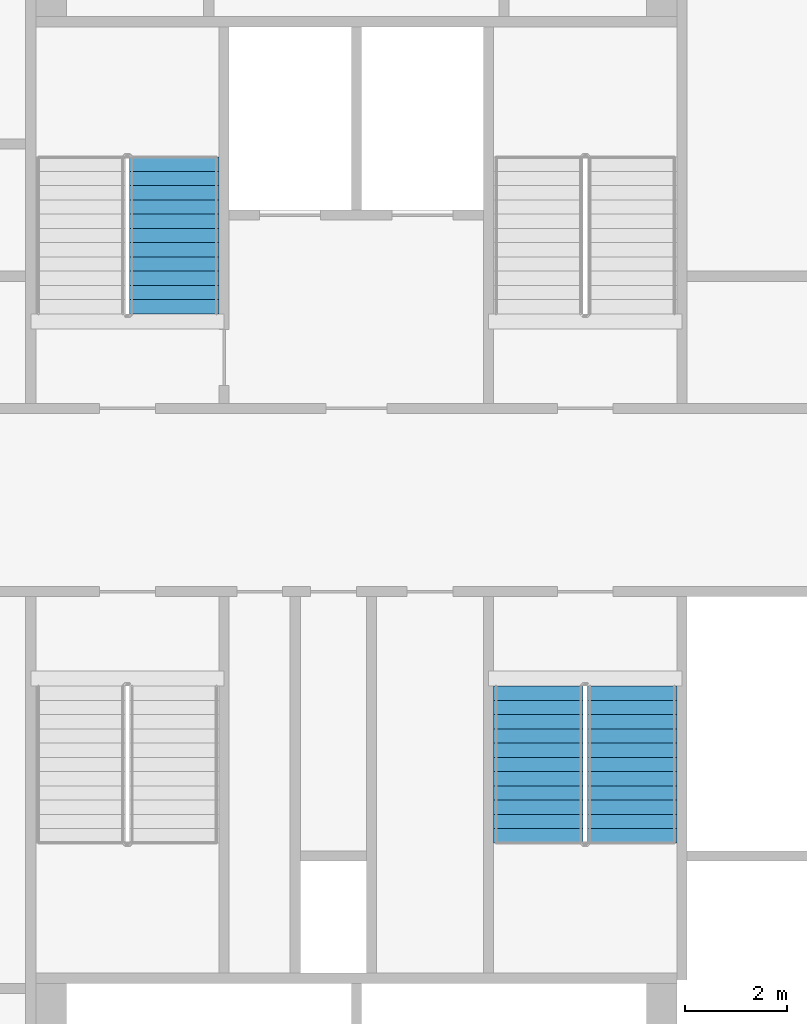
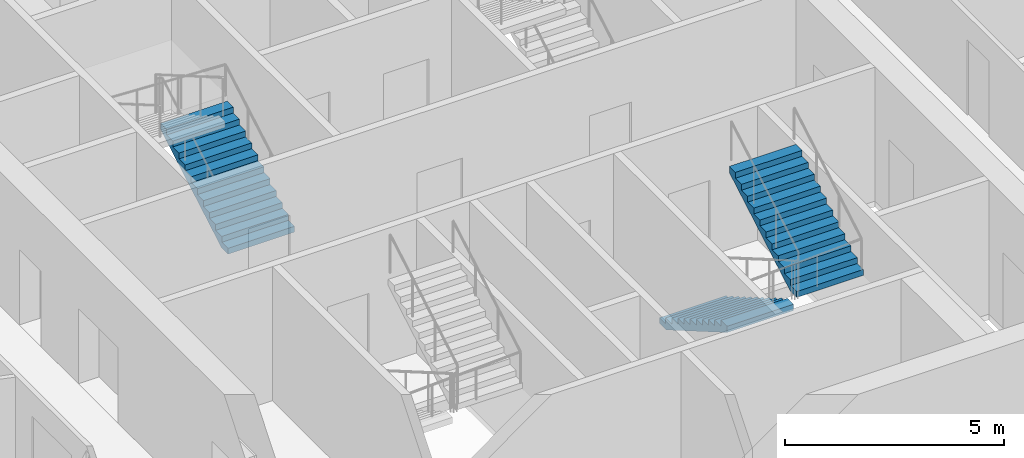
# One storey, part 18 of 24: 3 stair flights, 2 elements without a shape of their own.
"""IFC4 building model written with IfcOpenShell, lengths in metres."""

from ifc_helpers import new_model, si_unit, direction, frame, origin, place, context, subcontext, project, spatial, faceted_brep, material, type_object, element, aggregate, save


model = new_model("IFC4")

# Units and contexts
model_context = context("Model", 3, precision=1e-05, world=origin(), true_north=direction((0.0, 1.0)))
body_context = subcontext(model_context, "Body", "Model", "MODEL_VIEW")
ifc_project = project(units=[si_unit("LENGTHUNIT", "METRE"), si_unit("AREAUNIT", "SQUARE_METRE"), si_unit("VOLUMEUNIT", "CUBIC_METRE"), si_unit("PLANEANGLEUNIT", "RADIAN"), si_unit("MASSUNIT", "GRAM", prefix="KILO")], contexts=[model_context])

# Site, building, storey
site_placement = place(None, origin())
site = spatial("IfcSite", under=ifc_project, at=site_placement, CompositionType="ELEMENT")
building_placement = place(site_placement, origin())
building = spatial("IfcBuilding", under=site, at=building_placement, Name="Tarsis Ring Headquarters", CompositionType="ELEMENT")
storey_placement = place(building_placement, frame((0.0, 0.0, 216.0)))
storey = spatial("IfcBuildingStorey", under=building, at=storey_placement, Name="L50", CompositionType="ELEMENT", Elevation=216.0)

# Stair, stair flight
ifc_material_1 = material(Name="Core stair 1760")
stair_type = type_object("IfcStairType", Name="Core stair 1760", PredefinedType="HALF_TURN_STAIR", material=ifc_material_1)
stair_1_placement = place(storey_placement, origin())
stair_1 = element("IfcStair", 1, at=stair_1_placement, inside=storey, type_object=stair_type, Name="L50 Firefighting stair", PredefinedType="HALF_TURN_STAIR")
ifc_material_2 = material(Name="Concrete C40/50", Category="concrete")
stair_flight_type = type_object("IfcStairFlightType", Name="Core stair flight 1760", PredefinedType="STRAIGHT", material=ifc_material_2)
stair_flight_1_placement = place(storey_placement, frame((-3.580078125, 3.659912109375, 0.0), z_axis=(0.0, 0.0, 1.0), x_axis=(0.0, 1.0, 0.0)))
stair_flight_1 = element("IfcStairFlight", 2, at=stair_flight_1_placement, type_object=stair_flight_type, Name="Stair ST1 flight 1", NumberOfRisers=12, NumberOfTreads=11, PredefinedType="STRAIGHT", RiserHeight=0.1625, TreadLength=0.28, context=body_context, shape_type="Brep", body=[
    faceted_brep([(0.0, 0.8798828125, 0.0), (0.0, 0.8798828125, 0.16259765625), (0.280029296875, 0.8798828125, 0.16259765625), (0.280029296875, 0.8798828125, 0.324951171875), (0.56005859375, 0.8798828125, 0.324951171875), (0.56005859375, 0.8798828125, 0.487548828125), (0.840087890625, 0.8798828125, 0.487548828125), (0.840087890625, 0.8798828125, 0.64990234375), (1.1201171875, 0.8798828125, 0.64990234375), (1.1201171875, 0.8798828125, 0.8125), (1.39990234375, 0.8798828125, 0.8125), (1.39990234375, 0.8798828125, 0.97509765625), (1.679931640625, 0.8798828125, 0.97509765625), (1.679931640625, 0.8798828125, 1.137451171875), (1.9599609375, 0.8798828125, 1.137451171875), (1.9599609375, 0.8798828125, 1.300048828125), (2.239990234375, 0.8798828125, 1.300048828125), (2.239990234375, 0.8798828125, 1.46240234375), (2.52001953125, 0.8798828125, 1.46240234375), (2.52001953125, 0.8798828125, 1.625), (2.800048828125, 0.8798828125, 1.625), (2.800048828125, 0.8798828125, 1.78759765625), (3.080078125, 0.8798828125, 1.78759765625), (3.080078125, 0.8798828125, 1.6142578125), (0.298583984375, 0.8798828125, 0.0), (0.298583984375, -0.8798828125, 0.0), (3.080078125, -0.8798828125, 1.6142578125), (3.080078125, -0.8798828125, 1.78759765625), (2.800048828125, -0.8798828125, 1.78759765625), (2.800048828125, -0.8798828125, 1.625), (2.52001953125, -0.8798828125, 1.625), (2.52001953125, -0.8798828125, 1.46240234375), (2.239990234375, -0.8798828125, 1.46240234375), (2.239990234375, -0.8798828125, 1.300048828125), (1.9599609375, -0.8798828125, 1.300048828125), (1.9599609375, -0.8798828125, 1.137451171875), (1.679931640625, -0.8798828125, 1.137451171875), (1.679931640625, -0.8798828125, 0.97509765625), (1.39990234375, -0.8798828125, 0.97509765625), (1.39990234375, -0.8798828125, 0.8125), (1.1201171875, -0.8798828125, 0.8125), (1.1201171875, -0.8798828125, 0.64990234375), (0.840087890625, -0.8798828125, 0.64990234375), (0.840087890625, -0.8798828125, 0.487548828125), (0.56005859375, -0.8798828125, 0.487548828125), (0.56005859375, -0.8798828125, 0.324951171875), (0.280029296875, -0.8798828125, 0.324951171875), (0.280029296875, -0.8798828125, 0.16259765625), (0.0, -0.8798828125, 0.16259765625), (0.0, -0.8798828125, 0.0), (0.0, -0.43994140625, 0.16259765625), (0.0, -0.43994140625, 0.0), (0.0, 0.0, 0.16259765625), (0.0, 0.0, 0.0), (0.0, 0.43994140625, 0.16259765625), (0.0, 0.43994140625, 0.0), (0.280029296875, -0.43994140625, 0.16259765625), (0.280029296875, 0.0, 0.16259765625), (0.280029296875, 0.43994140625, 0.16259765625), (0.280029296875, -0.43994140625, 0.324951171875), (0.280029296875, 0.0, 0.324951171875), (0.280029296875, 0.43994140625, 0.324951171875), (0.56005859375, -0.43994140625, 0.324951171875), (0.56005859375, 0.0, 0.324951171875), (0.56005859375, 0.43994140625, 0.324951171875), (0.56005859375, -0.43994140625, 0.487548828125), (0.56005859375, 0.0, 0.487548828125), (0.56005859375, 0.43994140625, 0.487548828125), (0.840087890625, -0.43994140625, 0.487548828125), (0.840087890625, 0.0, 0.487548828125), (0.840087890625, 0.43994140625, 0.487548828125), (0.840087890625, -0.43994140625, 0.64990234375), (0.840087890625, 0.0, 0.64990234375), (0.840087890625, 0.43994140625, 0.64990234375), (1.1201171875, -0.43994140625, 0.64990234375), (1.1201171875, 0.0, 0.64990234375), (1.1201171875, 0.43994140625, 0.64990234375), (1.1201171875, -0.43994140625, 0.8125), (1.1201171875, 0.0, 0.8125), (1.1201171875, 0.43994140625, 0.8125), (1.39990234375, -0.43994140625, 0.8125), (1.39990234375, 0.0, 0.8125), (1.39990234375, 0.43994140625, 0.8125), (1.39990234375, -0.43994140625, 0.97509765625), (1.39990234375, 0.0, 0.97509765625), (1.39990234375, 0.43994140625, 0.97509765625), (1.679931640625, -0.43994140625, 0.97509765625), (1.679931640625, 0.0, 0.97509765625), (1.679931640625, 0.43994140625, 0.97509765625), (1.679931640625, -0.43994140625, 1.137451171875), (1.679931640625, 0.0, 1.137451171875), (1.679931640625, 0.43994140625, 1.137451171875), (1.9599609375, -0.43994140625, 1.137451171875), (1.9599609375, 0.0, 1.137451171875), (1.9599609375, 0.43994140625, 1.137451171875), (1.9599609375, -0.43994140625, 1.300048828125), (1.9599609375, 0.0, 1.300048828125), (1.9599609375, 0.43994140625, 1.300048828125), (2.239990234375, -0.43994140625, 1.300048828125), (2.239990234375, 0.0, 1.300048828125), (2.239990234375, 0.43994140625, 1.300048828125), (2.239990234375, -0.43994140625, 1.46240234375), (2.239990234375, 0.0, 1.46240234375), (2.239990234375, 0.43994140625, 1.46240234375), (2.52001953125, -0.43994140625, 1.46240234375), (2.52001953125, 0.0, 1.46240234375), (2.52001953125, 0.43994140625, 1.46240234375), (2.52001953125, -0.43994140625, 1.625), (2.52001953125, 0.0, 1.625), (2.52001953125, 0.43994140625, 1.625), (2.800048828125, -0.43994140625, 1.625), (2.800048828125, 0.0, 1.625), (2.800048828125, 0.43994140625, 1.625), (2.800048828125, -0.43994140625, 1.78759765625), (2.800048828125, 0.0, 1.78759765625), (2.800048828125, 0.43994140625, 1.78759765625), (3.080078125, -0.43994140625, 1.78759765625), (3.080078125, 0.0, 1.78759765625), (3.080078125, 0.43994140625, 1.78759765625), (3.080078125, -0.43994140625, 1.6142578125), (3.080078125, 0.0, 1.6142578125), (3.080078125, 0.43994140625, 1.6142578125), (0.298583984375, -0.43994140625, 0.0), (0.298583984375, 0.0, 0.0), (0.298583984375, 0.43994140625, 0.0)], [[[0, 1, 2, 3, 4, 5, 6, 7, 8, 9, 10, 11, 12, 13, 14, 15, 16, 17, 18, 19, 20, 21, 22, 23, 24]], [[25, 26, 27, 28, 29, 30, 31, 32, 33, 34, 35, 36, 37, 38, 39, 40, 41, 42, 43, 44, 45, 46, 47, 48, 49]], [[49, 48, 50, 51]], [[51, 50, 52, 53]], [[53, 52, 54, 55]], [[55, 54, 1, 0]], [[48, 47, 56, 50]], [[50, 56, 57, 52]], [[52, 57, 58, 54]], [[54, 58, 2, 1]], [[47, 46, 59, 56]], [[56, 59, 60, 57]], [[57, 60, 61, 58]], [[58, 61, 3, 2]], [[46, 45, 62, 59]], [[59, 62, 63, 60]], [[60, 63, 64, 61]], [[61, 64, 4, 3]], [[45, 44, 65, 62]], [[62, 65, 66, 63]], [[63, 66, 67, 64]], [[64, 67, 5, 4]], [[44, 43, 68, 65]], [[65, 68, 69, 66]], [[66, 69, 70, 67]], [[67, 70, 6, 5]], [[43, 42, 71, 68]], [[68, 71, 72, 69]], [[69, 72, 73, 70]], [[70, 73, 7, 6]], [[42, 41, 74, 71]], [[71, 74, 75, 72]], [[72, 75, 76, 73]], [[73, 76, 8, 7]], [[41, 40, 77, 74]], [[74, 77, 78, 75]], [[75, 78, 79, 76]], [[76, 79, 9, 8]], [[40, 39, 80, 77]], [[77, 80, 81, 78]], [[78, 81, 82, 79]], [[79, 82, 10, 9]], [[39, 38, 83, 80]], [[80, 83, 84, 81]], [[81, 84, 85, 82]], [[82, 85, 11, 10]], [[38, 37, 86, 83]], [[83, 86, 87, 84]], [[84, 87, 88, 85]], [[85, 88, 12, 11]], [[37, 36, 89, 86]], [[86, 89, 90, 87]], [[87, 90, 91, 88]], [[88, 91, 13, 12]], [[36, 35, 92, 89]], [[89, 92, 93, 90]], [[90, 93, 94, 91]], [[91, 94, 14, 13]], [[35, 34, 95, 92]], [[92, 95, 96, 93]], [[93, 96, 97, 94]], [[94, 97, 15, 14]], [[34, 33, 98, 95]], [[95, 98, 99, 96]], [[96, 99, 100, 97]], [[97, 100, 16, 15]], [[33, 32, 101, 98]], [[98, 101, 102, 99]], [[99, 102, 103, 100]], [[100, 103, 17, 16]], [[32, 31, 104, 101]], [[101, 104, 105, 102]], [[102, 105, 106, 103]], [[103, 106, 18, 17]], [[31, 30, 107, 104]], [[104, 107, 108, 105]], [[105, 108, 109, 106]], [[106, 109, 19, 18]], [[30, 29, 110, 107]], [[107, 110, 111, 108]], [[108, 111, 112, 109]], [[109, 112, 20, 19]], [[29, 28, 113, 110]], [[110, 113, 114, 111]], [[111, 114, 115, 112]], [[112, 115, 21, 20]], [[28, 27, 116, 113]], [[113, 116, 117, 114]], [[114, 117, 118, 115]], [[115, 118, 22, 21]], [[27, 26, 119, 116]], [[116, 119, 120, 117]], [[117, 120, 121, 118]], [[118, 121, 23, 22]], [[26, 25, 122, 119]], [[119, 122, 123, 120]], [[120, 123, 124, 121]], [[121, 124, 24, 23]], [[25, 49, 51, 122]], [[122, 51, 53, 123]], [[123, 53, 55, 124]], [[124, 55, 0, 24]]]),
])
aggregate(stair_1, [stair_flight_1])

# Stair, stair flights
stair_2_placement = place(storey_placement, origin())
stair_2 = element("IfcStair", 3, at=stair_2_placement, inside=storey, type_object=stair_type, Name="L50 Exit stair D", PredefinedType="HALF_TURN_STAIR")
stair_flight_2_placement = place(storey_placement, frame((3.580078125, -3.659912109375, 0.0), z_axis=(0.0, 0.0, 1.0), x_axis=(0.0, -1.0, 0.0)))
stair_flight_2 = element("IfcStairFlight", 4, at=stair_flight_2_placement, type_object=stair_flight_type, Name="Stair ST4 flight 1", NumberOfRisers=12, NumberOfTreads=11, PredefinedType="STRAIGHT", RiserHeight=0.1625, TreadLength=0.28, context=body_context, shape_type="Brep", body=[
    faceted_brep([(0.0, 0.8798828125, 0.0), (0.0, 0.8798828125, 0.16259765625), (0.280029296875, 0.8798828125, 0.16259765625), (0.280029296875, 0.8798828125, 0.324951171875), (0.56005859375, 0.8798828125, 0.324951171875), (0.56005859375, 0.8798828125, 0.487548828125), (0.840087890625, 0.8798828125, 0.487548828125), (0.840087890625, 0.8798828125, 0.64990234375), (1.1201171875, 0.8798828125, 0.64990234375), (1.1201171875, 0.8798828125, 0.8125), (1.39990234375, 0.8798828125, 0.8125), (1.39990234375, 0.8798828125, 0.97509765625), (1.679931640625, 0.8798828125, 0.97509765625), (1.679931640625, 0.8798828125, 1.137451171875), (1.9599609375, 0.8798828125, 1.137451171875), (1.9599609375, 0.8798828125, 1.300048828125), (2.239990234375, 0.8798828125, 1.300048828125), (2.239990234375, 0.8798828125, 1.46240234375), (2.52001953125, 0.8798828125, 1.46240234375), (2.52001953125, 0.8798828125, 1.625), (2.800048828125, 0.8798828125, 1.625), (2.800048828125, 0.8798828125, 1.78759765625), (3.080078125, 0.8798828125, 1.78759765625), (3.080078125, 0.8798828125, 1.6142578125), (0.298583984375, 0.8798828125, 0.0), (0.298583984375, -0.8798828125, 0.0), (3.080078125, -0.8798828125, 1.6142578125), (3.080078125, -0.8798828125, 1.78759765625), (2.800048828125, -0.8798828125, 1.78759765625), (2.800048828125, -0.8798828125, 1.625), (2.52001953125, -0.8798828125, 1.625), (2.52001953125, -0.8798828125, 1.46240234375), (2.239990234375, -0.8798828125, 1.46240234375), (2.239990234375, -0.8798828125, 1.300048828125), (1.9599609375, -0.8798828125, 1.300048828125), (1.9599609375, -0.8798828125, 1.137451171875), (1.679931640625, -0.8798828125, 1.137451171875), (1.679931640625, -0.8798828125, 0.97509765625), (1.39990234375, -0.8798828125, 0.97509765625), (1.39990234375, -0.8798828125, 0.8125), (1.1201171875, -0.8798828125, 0.8125), (1.1201171875, -0.8798828125, 0.64990234375), (0.840087890625, -0.8798828125, 0.64990234375), (0.840087890625, -0.8798828125, 0.487548828125), (0.56005859375, -0.8798828125, 0.487548828125), (0.56005859375, -0.8798828125, 0.324951171875), (0.280029296875, -0.8798828125, 0.324951171875), (0.280029296875, -0.8798828125, 0.16259765625), (0.0, -0.8798828125, 0.16259765625), (0.0, -0.8798828125, 0.0), (0.0, -0.43994140625, 0.16259765625), (0.0, -0.43994140625, 0.0), (0.0, 0.0, 0.16259765625), (0.0, 0.0, 0.0), (0.0, 0.43994140625, 0.16259765625), (0.0, 0.43994140625, 0.0), (0.280029296875, -0.43994140625, 0.16259765625), (0.280029296875, 0.0, 0.16259765625), (0.280029296875, 0.43994140625, 0.16259765625), (0.280029296875, -0.43994140625, 0.324951171875), (0.280029296875, 0.0, 0.324951171875), (0.280029296875, 0.43994140625, 0.324951171875), (0.56005859375, -0.43994140625, 0.324951171875), (0.56005859375, 0.0, 0.324951171875), (0.56005859375, 0.43994140625, 0.324951171875), (0.56005859375, -0.43994140625, 0.487548828125), (0.56005859375, 0.0, 0.487548828125), (0.56005859375, 0.43994140625, 0.487548828125), (0.840087890625, -0.43994140625, 0.487548828125), (0.840087890625, 0.0, 0.487548828125), (0.840087890625, 0.43994140625, 0.487548828125), (0.840087890625, -0.43994140625, 0.64990234375), (0.840087890625, 0.0, 0.64990234375), (0.840087890625, 0.43994140625, 0.64990234375), (1.1201171875, -0.43994140625, 0.64990234375), (1.1201171875, 0.0, 0.64990234375), (1.1201171875, 0.43994140625, 0.64990234375), (1.1201171875, -0.43994140625, 0.8125), (1.1201171875, 0.0, 0.8125), (1.1201171875, 0.43994140625, 0.8125), (1.39990234375, -0.43994140625, 0.8125), (1.39990234375, 0.0, 0.8125), (1.39990234375, 0.43994140625, 0.8125), (1.39990234375, -0.43994140625, 0.97509765625), (1.39990234375, 0.0, 0.97509765625), (1.39990234375, 0.43994140625, 0.97509765625), (1.679931640625, -0.43994140625, 0.97509765625), (1.679931640625, 0.0, 0.97509765625), (1.679931640625, 0.43994140625, 0.97509765625), (1.679931640625, -0.43994140625, 1.137451171875), (1.679931640625, 0.0, 1.137451171875), (1.679931640625, 0.43994140625, 1.137451171875), (1.9599609375, -0.43994140625, 1.137451171875), (1.9599609375, 0.0, 1.137451171875), (1.9599609375, 0.43994140625, 1.137451171875), (1.9599609375, -0.43994140625, 1.300048828125), (1.9599609375, 0.0, 1.300048828125), (1.9599609375, 0.43994140625, 1.300048828125), (2.239990234375, -0.43994140625, 1.300048828125), (2.239990234375, 0.0, 1.300048828125), (2.239990234375, 0.43994140625, 1.300048828125), (2.239990234375, -0.43994140625, 1.46240234375), (2.239990234375, 0.0, 1.46240234375), (2.239990234375, 0.43994140625, 1.46240234375), (2.52001953125, -0.43994140625, 1.46240234375), (2.52001953125, 0.0, 1.46240234375), (2.52001953125, 0.43994140625, 1.46240234375), (2.52001953125, -0.43994140625, 1.625), (2.52001953125, 0.0, 1.625), (2.52001953125, 0.43994140625, 1.625), (2.800048828125, -0.43994140625, 1.625), (2.800048828125, 0.0, 1.625), (2.800048828125, 0.43994140625, 1.625), (2.800048828125, -0.43994140625, 1.78759765625), (2.800048828125, 0.0, 1.78759765625), (2.800048828125, 0.43994140625, 1.78759765625), (3.080078125, -0.43994140625, 1.78759765625), (3.080078125, 0.0, 1.78759765625), (3.080078125, 0.43994140625, 1.78759765625), (3.080078125, -0.43994140625, 1.6142578125), (3.080078125, 0.0, 1.6142578125), (3.080078125, 0.43994140625, 1.6142578125), (0.298583984375, -0.43994140625, 0.0), (0.298583984375, 0.0, 0.0), (0.298583984375, 0.43994140625, 0.0)], [[[0, 1, 2, 3, 4, 5, 6, 7, 8, 9, 10, 11, 12, 13, 14, 15, 16, 17, 18, 19, 20, 21, 22, 23, 24]], [[25, 26, 27, 28, 29, 30, 31, 32, 33, 34, 35, 36, 37, 38, 39, 40, 41, 42, 43, 44, 45, 46, 47, 48, 49]], [[49, 48, 50, 51]], [[51, 50, 52, 53]], [[53, 52, 54, 55]], [[55, 54, 1, 0]], [[48, 47, 56, 50]], [[50, 56, 57, 52]], [[52, 57, 58, 54]], [[54, 58, 2, 1]], [[47, 46, 59, 56]], [[56, 59, 60, 57]], [[57, 60, 61, 58]], [[58, 61, 3, 2]], [[46, 45, 62, 59]], [[59, 62, 63, 60]], [[60, 63, 64, 61]], [[61, 64, 4, 3]], [[45, 44, 65, 62]], [[62, 65, 66, 63]], [[63, 66, 67, 64]], [[64, 67, 5, 4]], [[44, 43, 68, 65]], [[65, 68, 69, 66]], [[66, 69, 70, 67]], [[67, 70, 6, 5]], [[43, 42, 71, 68]], [[68, 71, 72, 69]], [[69, 72, 73, 70]], [[70, 73, 7, 6]], [[42, 41, 74, 71]], [[71, 74, 75, 72]], [[72, 75, 76, 73]], [[73, 76, 8, 7]], [[41, 40, 77, 74]], [[74, 77, 78, 75]], [[75, 78, 79, 76]], [[76, 79, 9, 8]], [[40, 39, 80, 77]], [[77, 80, 81, 78]], [[78, 81, 82, 79]], [[79, 82, 10, 9]], [[39, 38, 83, 80]], [[80, 83, 84, 81]], [[81, 84, 85, 82]], [[82, 85, 11, 10]], [[38, 37, 86, 83]], [[83, 86, 87, 84]], [[84, 87, 88, 85]], [[85, 88, 12, 11]], [[37, 36, 89, 86]], [[86, 89, 90, 87]], [[87, 90, 91, 88]], [[88, 91, 13, 12]], [[36, 35, 92, 89]], [[89, 92, 93, 90]], [[90, 93, 94, 91]], [[91, 94, 14, 13]], [[35, 34, 95, 92]], [[92, 95, 96, 93]], [[93, 96, 97, 94]], [[94, 97, 15, 14]], [[34, 33, 98, 95]], [[95, 98, 99, 96]], [[96, 99, 100, 97]], [[97, 100, 16, 15]], [[33, 32, 101, 98]], [[98, 101, 102, 99]], [[99, 102, 103, 100]], [[100, 103, 17, 16]], [[32, 31, 104, 101]], [[101, 104, 105, 102]], [[102, 105, 106, 103]], [[103, 106, 18, 17]], [[31, 30, 107, 104]], [[104, 107, 108, 105]], [[105, 108, 109, 106]], [[106, 109, 19, 18]], [[30, 29, 110, 107]], [[107, 110, 111, 108]], [[108, 111, 112, 109]], [[109, 112, 20, 19]], [[29, 28, 113, 110]], [[110, 113, 114, 111]], [[111, 114, 115, 112]], [[112, 115, 21, 20]], [[28, 27, 116, 113]], [[113, 116, 117, 114]], [[114, 117, 118, 115]], [[115, 118, 22, 21]], [[27, 26, 119, 116]], [[116, 119, 120, 117]], [[117, 120, 121, 118]], [[118, 121, 23, 22]], [[26, 25, 122, 119]], [[119, 122, 123, 120]], [[120, 123, 124, 121]], [[121, 124, 24, 23]], [[25, 49, 51, 122]], [[122, 51, 53, 123]], [[123, 53, 55, 124]], [[124, 55, 0, 24]]]),
])
stair_flight_3_placement = place(storey_placement, frame((5.419921875, -6.739990234375, 1.949951171875), z_axis=(0.0, 0.0, 1.0), x_axis=(0.0, 1.0, 0.0)))
stair_flight_3 = element("IfcStairFlight", 5, at=stair_flight_3_placement, type_object=stair_flight_type, Name="Stair ST4 flight 2", NumberOfRisers=12, NumberOfTreads=11, PredefinedType="STRAIGHT", RiserHeight=0.1625, TreadLength=0.28, context=body_context, shape_type="Brep", body=[
    faceted_brep([(0.0, 0.8798828125, 0.0), (0.0, 0.8798828125, 0.16259765625), (0.280029296875, 0.8798828125, 0.16259765625), (0.280029296875, 0.8798828125, 0.324951171875), (0.56005859375, 0.8798828125, 0.324951171875), (0.56005859375, 0.8798828125, 0.487548828125), (0.840087890625, 0.8798828125, 0.487548828125), (0.840087890625, 0.8798828125, 0.64990234375), (1.1201171875, 0.8798828125, 0.64990234375), (1.1201171875, 0.8798828125, 0.8125), (1.39990234375, 0.8798828125, 0.8125), (1.39990234375, 0.8798828125, 0.97509765625), (1.679931640625, 0.8798828125, 0.97509765625), (1.679931640625, 0.8798828125, 1.137451171875), (1.9599609375, 0.8798828125, 1.137451171875), (1.9599609375, 0.8798828125, 1.300048828125), (2.239990234375, 0.8798828125, 1.300048828125), (2.239990234375, 0.8798828125, 1.46240234375), (2.52001953125, 0.8798828125, 1.46240234375), (2.52001953125, 0.8798828125, 1.625), (2.800048828125, 0.8798828125, 1.625), (2.800048828125, 0.8798828125, 1.78759765625), (3.080078125, 0.8798828125, 1.78759765625), (3.080078125, 0.8798828125, 1.6142578125), (0.298583984375, 0.8798828125, 0.0), (0.298583984375, -0.8798828125, 0.0), (3.080078125, -0.8798828125, 1.6142578125), (3.080078125, -0.8798828125, 1.78759765625), (2.800048828125, -0.8798828125, 1.78759765625), (2.800048828125, -0.8798828125, 1.625), (2.52001953125, -0.8798828125, 1.625), (2.52001953125, -0.8798828125, 1.46240234375), (2.239990234375, -0.8798828125, 1.46240234375), (2.239990234375, -0.8798828125, 1.300048828125), (1.9599609375, -0.8798828125, 1.300048828125), (1.9599609375, -0.8798828125, 1.137451171875), (1.679931640625, -0.8798828125, 1.137451171875), (1.679931640625, -0.8798828125, 0.97509765625), (1.39990234375, -0.8798828125, 0.97509765625), (1.39990234375, -0.8798828125, 0.8125), (1.1201171875, -0.8798828125, 0.8125), (1.1201171875, -0.8798828125, 0.64990234375), (0.840087890625, -0.8798828125, 0.64990234375), (0.840087890625, -0.8798828125, 0.487548828125), (0.56005859375, -0.8798828125, 0.487548828125), (0.56005859375, -0.8798828125, 0.324951171875), (0.280029296875, -0.8798828125, 0.324951171875), (0.280029296875, -0.8798828125, 0.16259765625), (0.0, -0.8798828125, 0.16259765625), (0.0, -0.8798828125, 0.0), (0.0, -0.43994140625, 0.16259765625), (0.0, -0.43994140625, 0.0), (0.0, 0.0, 0.16259765625), (0.0, 0.0, 0.0), (0.0, 0.43994140625, 0.16259765625), (0.0, 0.43994140625, 0.0), (0.280029296875, -0.43994140625, 0.16259765625), (0.280029296875, 0.0, 0.16259765625), (0.280029296875, 0.43994140625, 0.16259765625), (0.280029296875, -0.43994140625, 0.324951171875), (0.280029296875, 0.0, 0.324951171875), (0.280029296875, 0.43994140625, 0.324951171875), (0.56005859375, -0.43994140625, 0.324951171875), (0.56005859375, 0.0, 0.324951171875), (0.56005859375, 0.43994140625, 0.324951171875), (0.56005859375, -0.43994140625, 0.487548828125), (0.56005859375, 0.0, 0.487548828125), (0.56005859375, 0.43994140625, 0.487548828125), (0.840087890625, -0.43994140625, 0.487548828125), (0.840087890625, 0.0, 0.487548828125), (0.840087890625, 0.43994140625, 0.487548828125), (0.840087890625, -0.43994140625, 0.64990234375), (0.840087890625, 0.0, 0.64990234375), (0.840087890625, 0.43994140625, 0.64990234375), (1.1201171875, -0.43994140625, 0.64990234375), (1.1201171875, 0.0, 0.64990234375), (1.1201171875, 0.43994140625, 0.64990234375), (1.1201171875, -0.43994140625, 0.8125), (1.1201171875, 0.0, 0.8125), (1.1201171875, 0.43994140625, 0.8125), (1.39990234375, -0.43994140625, 0.8125), (1.39990234375, 0.0, 0.8125), (1.39990234375, 0.43994140625, 0.8125), (1.39990234375, -0.43994140625, 0.97509765625), (1.39990234375, 0.0, 0.97509765625), (1.39990234375, 0.43994140625, 0.97509765625), (1.679931640625, -0.43994140625, 0.97509765625), (1.679931640625, 0.0, 0.97509765625), (1.679931640625, 0.43994140625, 0.97509765625), (1.679931640625, -0.43994140625, 1.137451171875), (1.679931640625, 0.0, 1.137451171875), (1.679931640625, 0.43994140625, 1.137451171875), (1.9599609375, -0.43994140625, 1.137451171875), (1.9599609375, 0.0, 1.137451171875), (1.9599609375, 0.43994140625, 1.137451171875), (1.9599609375, -0.43994140625, 1.300048828125), (1.9599609375, 0.0, 1.300048828125), (1.9599609375, 0.43994140625, 1.300048828125), (2.239990234375, -0.43994140625, 1.300048828125), (2.239990234375, 0.0, 1.300048828125), (2.239990234375, 0.43994140625, 1.300048828125), (2.239990234375, -0.43994140625, 1.46240234375), (2.239990234375, 0.0, 1.46240234375), (2.239990234375, 0.43994140625, 1.46240234375), (2.52001953125, -0.43994140625, 1.46240234375), (2.52001953125, 0.0, 1.46240234375), (2.52001953125, 0.43994140625, 1.46240234375), (2.52001953125, -0.43994140625, 1.625), (2.52001953125, 0.0, 1.625), (2.52001953125, 0.43994140625, 1.625), (2.800048828125, -0.43994140625, 1.625), (2.800048828125, 0.0, 1.625), (2.800048828125, 0.43994140625, 1.625), (2.800048828125, -0.43994140625, 1.78759765625), (2.800048828125, 0.0, 1.78759765625), (2.800048828125, 0.43994140625, 1.78759765625), (3.080078125, -0.43994140625, 1.78759765625), (3.080078125, 0.0, 1.78759765625), (3.080078125, 0.43994140625, 1.78759765625), (3.080078125, -0.43994140625, 1.6142578125), (3.080078125, 0.0, 1.6142578125), (3.080078125, 0.43994140625, 1.6142578125), (0.298583984375, -0.43994140625, 0.0), (0.298583984375, 0.0, 0.0), (0.298583984375, 0.43994140625, 0.0)], [[[0, 1, 2, 3, 4, 5, 6, 7, 8, 9, 10, 11, 12, 13, 14, 15, 16, 17, 18, 19, 20, 21, 22, 23, 24]], [[25, 26, 27, 28, 29, 30, 31, 32, 33, 34, 35, 36, 37, 38, 39, 40, 41, 42, 43, 44, 45, 46, 47, 48, 49]], [[49, 48, 50, 51]], [[51, 50, 52, 53]], [[53, 52, 54, 55]], [[55, 54, 1, 0]], [[48, 47, 56, 50]], [[50, 56, 57, 52]], [[52, 57, 58, 54]], [[54, 58, 2, 1]], [[47, 46, 59, 56]], [[56, 59, 60, 57]], [[57, 60, 61, 58]], [[58, 61, 3, 2]], [[46, 45, 62, 59]], [[59, 62, 63, 60]], [[60, 63, 64, 61]], [[61, 64, 4, 3]], [[45, 44, 65, 62]], [[62, 65, 66, 63]], [[63, 66, 67, 64]], [[64, 67, 5, 4]], [[44, 43, 68, 65]], [[65, 68, 69, 66]], [[66, 69, 70, 67]], [[67, 70, 6, 5]], [[43, 42, 71, 68]], [[68, 71, 72, 69]], [[69, 72, 73, 70]], [[70, 73, 7, 6]], [[42, 41, 74, 71]], [[71, 74, 75, 72]], [[72, 75, 76, 73]], [[73, 76, 8, 7]], [[41, 40, 77, 74]], [[74, 77, 78, 75]], [[75, 78, 79, 76]], [[76, 79, 9, 8]], [[40, 39, 80, 77]], [[77, 80, 81, 78]], [[78, 81, 82, 79]], [[79, 82, 10, 9]], [[39, 38, 83, 80]], [[80, 83, 84, 81]], [[81, 84, 85, 82]], [[82, 85, 11, 10]], [[38, 37, 86, 83]], [[83, 86, 87, 84]], [[84, 87, 88, 85]], [[85, 88, 12, 11]], [[37, 36, 89, 86]], [[86, 89, 90, 87]], [[87, 90, 91, 88]], [[88, 91, 13, 12]], [[36, 35, 92, 89]], [[89, 92, 93, 90]], [[90, 93, 94, 91]], [[91, 94, 14, 13]], [[35, 34, 95, 92]], [[92, 95, 96, 93]], [[93, 96, 97, 94]], [[94, 97, 15, 14]], [[34, 33, 98, 95]], [[95, 98, 99, 96]], [[96, 99, 100, 97]], [[97, 100, 16, 15]], [[33, 32, 101, 98]], [[98, 101, 102, 99]], [[99, 102, 103, 100]], [[100, 103, 17, 16]], [[32, 31, 104, 101]], [[101, 104, 105, 102]], [[102, 105, 106, 103]], [[103, 106, 18, 17]], [[31, 30, 107, 104]], [[104, 107, 108, 105]], [[105, 108, 109, 106]], [[106, 109, 19, 18]], [[30, 29, 110, 107]], [[107, 110, 111, 108]], [[108, 111, 112, 109]], [[109, 112, 20, 19]], [[29, 28, 113, 110]], [[110, 113, 114, 111]], [[111, 114, 115, 112]], [[112, 115, 21, 20]], [[28, 27, 116, 113]], [[113, 116, 117, 114]], [[114, 117, 118, 115]], [[115, 118, 22, 21]], [[27, 26, 119, 116]], [[116, 119, 120, 117]], [[117, 120, 121, 118]], [[118, 121, 23, 22]], [[26, 25, 122, 119]], [[119, 122, 123, 120]], [[120, 123, 124, 121]], [[121, 124, 24, 23]], [[25, 49, 51, 122]], [[122, 51, 53, 123]], [[123, 53, 55, 124]], [[124, 55, 0, 24]]]),
])
aggregate(stair_2, [stair_flight_2, stair_flight_3])

save(model, "model.ifc")
